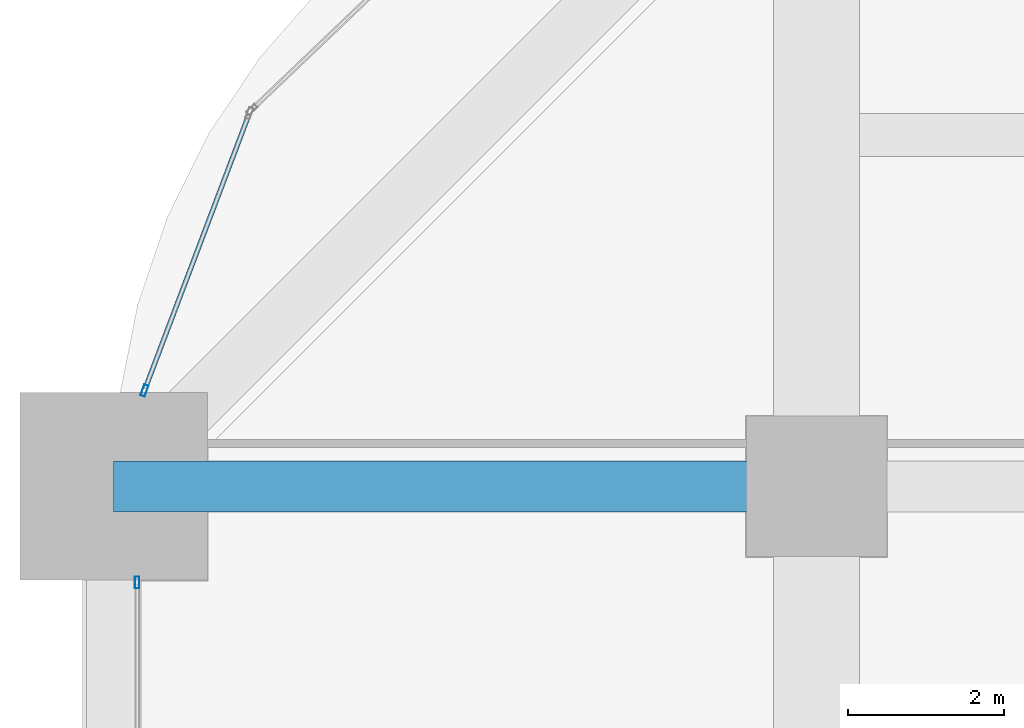
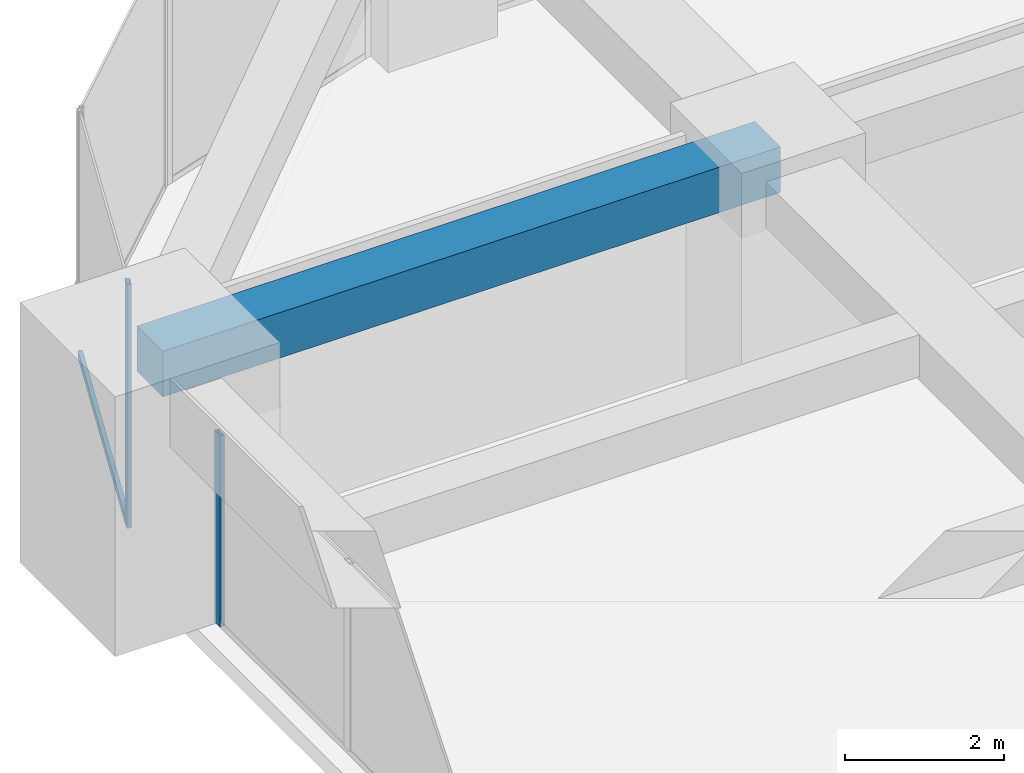
# One storey, part 24 of 39: 3 members, 1 beam, 2 elements without a shape of their own.
"""IFC4 building model written with IfcOpenShell, lengths in metres."""

from ifc_helpers import new_model, si_unit, direction, frame, origin, origin_2d, place, context, subcontext, project, spatial, rectangle, hollow_rectangle, extrude, material, material_profile, profile_set, type_object, element, aggregate, save


model = new_model("IFC4")

# Units and contexts
model_context = context("Model", 3, precision=1e-05, world=origin(), true_north=direction((0.0, 1.0)))
body_context = subcontext(model_context, "Body", "Model", "MODEL_VIEW")
ifc_project = project(units=[si_unit("LENGTHUNIT", "METRE"), si_unit("AREAUNIT", "SQUARE_METRE"), si_unit("VOLUMEUNIT", "CUBIC_METRE"), si_unit("PLANEANGLEUNIT", "RADIAN"), si_unit("MASSUNIT", "GRAM", prefix="KILO")], contexts=[model_context])

# Site, building, storey
site_placement = place(None, origin())
site = spatial("IfcSite", under=ifc_project, at=site_placement, CompositionType="ELEMENT")
building_placement = place(site_placement, origin())
building = spatial("IfcBuilding", under=site, at=building_placement, Name="Zorevar Civic Tower", CompositionType="ELEMENT")
storey_placement = place(building_placement, frame((0.0, 0.0, 125.0)))
storey = spatial("IfcBuildingStorey", under=building, at=storey_placement, Name="L30", CompositionType="ELEMENT", Elevation=125.0)

# Beam
ifc_material_1 = material(Name="Concrete C50/60", Category="concrete")
ifc_material_profile_1 = material_profile(ifc_material_1, rectangle(XDim=0.64990234375, YDim=0.699951171875, at=origin_2d()), Name="RC 650x700")
ifc_profile_set_1 = profile_set([ifc_material_profile_1], Name="Concrete C50/60")
beam_type = type_object("IfcBeamType", Name="Beam RC 650x700", PredefinedType="BEAM", material=ifc_profile_set_1)
beam_placement = place(storey_placement, frame((0.0, 36.0, 3.39990234375), z_axis=(1.0, 0.0, 0.0), x_axis=(0.0, 1.0, 0.0)))
element("IfcBeam", 1, at=beam_placement, inside=storey, type_object=beam_type, Name="Girder L31", PredefinedType="BEAM", context=body_context, shape_type="SweptSolid", body=[
    extrude(rectangle(XDim=0.64990234375, YDim=0.699951171875, at=origin_2d()), origin(), (0.0, 0.0, 1.0), 9.0),
])

# Curtain wall, member
ifc_material_2 = material(Name="Dark grey solar-control glass in black aluminium frame", Category="aluminium")
curtain_wall_type = type_object("IfcCurtainWallType", Name="Curtain wall CW3 mid zone", PredefinedType="NOTDEFINED", material=ifc_material_2)
curtain_wall_1_placement = place(storey_placement, origin())
curtain_wall_1 = element("IfcCurtainWall", 2, at=curtain_wall_1_placement, inside=storey, type_object=curtain_wall_type, Name="CW3 L30", PredefinedType="NOTDEFINED")
ifc_material_3 = material(Name="Aluminium, black anodised", Category="aluminium")
ifc_material_profile_2 = material_profile(ifc_material_3, hollow_rectangle(XDim=0.06005859375, YDim=0.14990234375, WallThickness=0.00390625, at=origin_2d()), Name="AL 150x60x4")
ifc_profile_set_2 = profile_set([ifc_material_profile_2], Name="Aluminium, black anodised")
member_type_1 = type_object("IfcMemberType", Name="CW3 mullion AL 150x60x4", PredefinedType="MULLION", material=ifc_profile_set_2)
member_1_placement = place(storey_placement, frame((0.300048828125, 34.77001953125, 0.0), z_axis=(0.0, 0.0, 1.0), x_axis=(-1.0, 0.0, 0.0)))
member_1 = element("IfcMember", 3, at=member_1_placement, type_object=member_type_1, Name="CW3 mullion 3", PredefinedType="MULLION", context=body_context, shape_type="SweptSolid", body=[
    extrude(hollow_rectangle(XDim=0.06005859375, YDim=0.14990234375, WallThickness=0.00390625, at=origin_2d()), origin(), (0.0, 0.0, 1.0), 2.949951171875),
])
aggregate(curtain_wall_1, [member_1])

# Curtain wall, members
curtain_wall_2_placement = place(storey_placement, origin())
curtain_wall_2 = element("IfcCurtainWall", 4, at=curtain_wall_2_placement, inside=storey, type_object=curtain_wall_type, Name="CW3 L30", PredefinedType="NOTDEFINED")
member_2_placement = place(storey_placement, frame((0.393798828125, 37.22802734375, 0.0), z_axis=(0.0, 0.0, 1.0), x_axis=(0.935276561184, -0.353917722218, 0.0)))
member_2 = element("IfcMember", 5, at=member_2_placement, type_object=member_type_1, Name="CW3 mullion 2", PredefinedType="MULLION", context=body_context, shape_type="SweptSolid", body=[
    extrude(hollow_rectangle(XDim=0.06005859375, YDim=0.14990234375, WallThickness=0.00390625, at=origin_2d()), origin(), (0.0, 0.0, 1.0), 3.75),
])
ifc_material_4 = material(Name="Aluminium, black anodised", Category="aluminium")
ifc_material_profile_3 = material_profile(ifc_material_4, hollow_rectangle(XDim=0.06005859375, YDim=0.1201171875, WallThickness=0.0029296875, at=origin_2d()), Name="AL 120x60x3")
ifc_profile_set_3 = profile_set([ifc_material_profile_3], Name="Aluminium, black anodised")
member_type_2 = type_object("IfcMemberType", Name="CW3 transom AL 120x60x3", PredefinedType="USERDEFINED", material=ifc_profile_set_3)
member_3_placement = place(storey_placement, frame((1.726318359375, 40.7490234375, 0.030029296875), z_axis=(-0.353923007857, -0.93527456103, 0.0), x_axis=(0.93527456103, -0.353923007857, 0.0)))
member_3 = element("IfcMember", 6, at=member_3_placement, type_object=member_type_2, Name="CW3 sill transom", ObjectType="TRANSOM", PredefinedType="USERDEFINED", context=body_context, shape_type="SweptSolid", body=[
    extrude(hollow_rectangle(XDim=0.06005859375, YDim=0.1201171875, WallThickness=0.0029296875, at=origin_2d()), origin(), (0.0, 0.0, 1.0), 3.734619140625),
])
aggregate(curtain_wall_2, [member_2, member_3])

save(model, "model.ifc")
